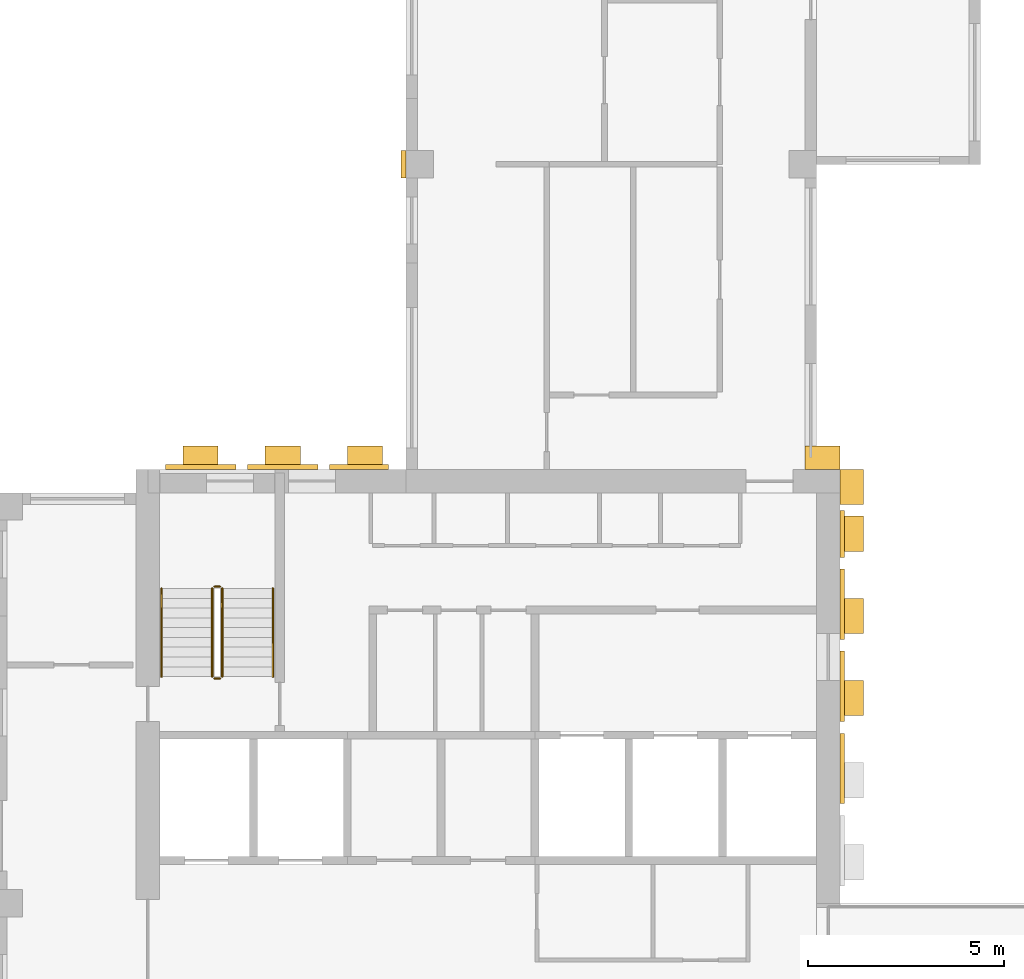
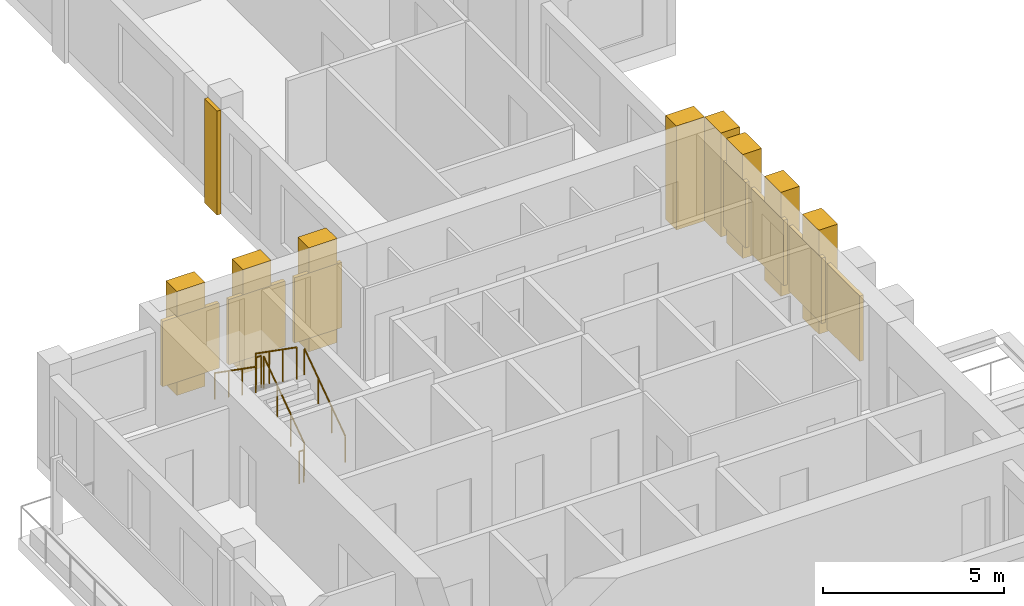
# One storey, part 8 of 10: 16 coverings, 6 railings.
"""IFC4 building model written with IfcOpenShell, lengths in metres."""

from ifc_helpers import new_model, si_unit, direction, frame, origin, origin_2d, place, context, subcontext, project, spatial, rectangle, circle, extrude, source, transform, mapped, material, type_object, element, save


model = new_model("IFC4")

# Units and contexts
model_context = context("Model", 3, precision=1e-05, world=origin(), true_north=direction((0.0, 1.0)))
body_context = subcontext(model_context, "Body", "Model", "MODEL_VIEW")
ifc_project = project(units=[si_unit("LENGTHUNIT", "METRE"), si_unit("AREAUNIT", "SQUARE_METRE"), si_unit("VOLUMEUNIT", "CUBIC_METRE"), si_unit("PLANEANGLEUNIT", "RADIAN"), si_unit("MASSUNIT", "GRAM", prefix="KILO")], contexts=[model_context])

# Site, building, storey
site_placement = place(None, origin())
site = spatial("IfcSite", under=ifc_project, at=site_placement, CompositionType="ELEMENT")
building_placement = place(site_placement, origin())
building = spatial("IfcBuilding", under=site, at=building_placement, Name="Aurelian Terraces", CompositionType="ELEMENT")
storey_placement = place(building_placement, frame((0.0, 0.0, 291.5)))
storey = spatial("IfcBuildingStorey", under=building, at=storey_placement, Name="L66", CompositionType="ELEMENT", Elevation=291.5)

# Coverings
ifc_material_1 = material(Name="Terracotta rainscreen cladding louvre blades", Category="masonry")
covering_type_1 = type_object("IfcCoveringType", Name="LOUVRE-TC", PredefinedType="CLADDING", material=ifc_material_1)
shared_shape_1 = source(origin(), body_context, "Body", "SweptSolid", [
    extrude(rectangle(XDim=0.12, YDim=1.8, at=origin_2d()), origin(), (0.0, 0.0, 1.0), 2.2),
])
for number, where, z_axis, x_axis, name in (
    (1, (21.66, 13.95, 0.45), (0.0, 0.0, 1.0), (1.0, 0.0, 0.0), "LOUVRE L66 core face E.2"),
    (2, (21.66, 16.05, 0.45), (0.0, 0.0, 1.0), (1.0, 0.0, 0.0), "LOUVRE L66 core face E.3"),
    (3, (21.66, 18.15, 0.45), (0.0, 0.0, 1.0), (1.0, 0.0, 0.0), "LOUVRE L66 core face E.4"),
):
    element("IfcCovering", number, at=place(storey_placement, frame(where, z_axis=z_axis, x_axis=x_axis)), inside=storey, type_object=covering_type_1, Name=name, PredefinedType="CLADDING", context=body_context, shape_type="MappedRepresentation", body=[
        mapped(shared_shape_1, transform((0.0, 0.0, 0.0), scale=1.0)),
    ])
shared_shape_2 = source(origin(), body_context, "Body", "SweptSolid", [
    extrude(rectangle(XDim=1.8, YDim=0.12, at=origin_2d()), origin(), (0.0, 0.0, 1.0), 2.2),
])
for number, where, z_axis, x_axis, name in (
    (4, (5.25, 21.66, 0.45), (0.0, 0.0, 1.0), (1.0, 0.0, 0.0), "LOUVRE L66 core face N.1"),
    (5, (7.35, 21.66, 0.45), (0.0, 0.0, 1.0), (1.0, 0.0, 0.0), "LOUVRE L66 core face N.2"),
):
    element("IfcCovering", number, at=place(storey_placement, frame(where, z_axis=z_axis, x_axis=x_axis)), inside=storey, type_object=covering_type_1, Name=name, PredefinedType="CLADDING", context=body_context, shape_type="MappedRepresentation", body=[
        mapped(shared_shape_2, transform((0.0, 0.0, 0.0), scale=1.0)),
    ])
ifc_material_2 = material(Name="Terracotta rainscreen cladding relief", Category="masonry")
covering_type_2 = type_object("IfcCoveringType", Name="BAGUETTE-TC", PredefinedType="CLADDING", material=ifc_material_2)
shared_shape_3 = source(origin(), body_context, "Body", "SweptSolid", [
    extrude(rectangle(XDim=0.12, YDim=0.7, at=origin_2d()), origin(), (0.0, 0.0, 1.0), 3.5),
])
covering_1_placement = place(storey_placement, frame((10.44, 29.4, -0.4), z_axis=(0.0, 0.0, 1.0), x_axis=(1.0, 0.0, 0.0)))
element("IfcCovering", 6, at=covering_1_placement, inside=storey, type_object=covering_type_2, Name="BAGUETTE pier L66 5", PredefinedType="CLADDING", context=body_context, shape_type="MappedRepresentation", body=[
    mapped(shared_shape_3, transform((0.0, 0.0, 0.0), scale=1.0)),
])
shared_shape_4 = source(origin(), body_context, "Body", "SweptSolid", [
    extrude(rectangle(XDim=0.12, YDim=1.2, at=origin_2d()), origin(), (0.0, 0.0, 1.0), 2.2),
])
covering_2_placement = place(storey_placement, frame((21.66, 19.95, 0.45), z_axis=(0.0, 0.0, 1.0), x_axis=(1.0, 0.0, 0.0)))
element("IfcCovering", 7, at=covering_2_placement, inside=storey, type_object=covering_type_1, Name="LOUVRE L66 core face E.5", PredefinedType="CLADDING", context=body_context, shape_type="MappedRepresentation", body=[
    mapped(shared_shape_4, transform((0.0, 0.0, 0.0), scale=1.0)),
])
shared_shape_5 = source(origin(), body_context, "Body", "SweptSolid", [
    extrude(rectangle(XDim=1.5, YDim=0.12, at=origin_2d()), origin(), (0.0, 0.0, 1.0), 2.2),
])
covering_3_placement = place(storey_placement, frame((9.3, 21.66, 0.45), z_axis=(0.0, 0.0, 1.0), x_axis=(1.0, 0.0, 0.0)))
element("IfcCovering", 8, at=covering_3_placement, inside=storey, type_object=covering_type_1, Name="LOUVRE L66 core face N.3", PredefinedType="CLADDING", context=body_context, shape_type="MappedRepresentation", body=[
    mapped(shared_shape_5, transform((0.0, 0.0, 0.0), scale=1.0)),
])

# Railings
ifc_material_3 = material(Name="Stainless steel", Category="steel")
railing_type_1 = type_object("IfcRailingType", Name="Stair guard 1100", PredefinedType="GUARDRAIL", material=ifc_material_3)
shared_shape_6 = source(origin(), body_context, "Body", "SweptSolid", [
    extrude(circle(Radius=0.024, at=origin_2d()), frame((0.0, 0.0, 1.076), z_axis=(-1.0, 0.0, 0.0), x_axis=(0.0, -1.0, 0.0)), (0.0, 0.0, 1.0), 0.15),
    extrude(circle(Radius=0.021, at=origin_2d()), origin(), (0.0, 0.0, 1.0), 1.052),
    extrude(circle(Radius=0.021, at=origin_2d()), frame((-0.15, 0.0, 0.0)), (0.0, 0.0, 1.0), 1.052),
])
for number, where, name in (
    (9, (5.75, 18.6, 1.75), "L66 S1 stair guard 2"),
    (10, (5.75, 16.25, 0.0), "L66 S1 stair guard 4"),
):
    element("IfcRailing", number, at=place(storey_placement, frame(where)), inside=storey, type_object=railing_type_1, Name=name, PredefinedType="GUARDRAIL", context=body_context, shape_type="MappedRepresentation", body=[
        mapped(shared_shape_6, transform((0.0, 0.0, 0.0), scale=1.0)),
    ])
shared_shape_7 = source(origin(), body_context, "Body", "SweptSolid", [
    extrude(circle(Radius=0.024, at=origin_2d()), frame((0.0, 0.0, 1.076), z_axis=(0.0, 0.819231920519, 0.573462344363), x_axis=(-1.0, 0.0, 0.0)), (0.0, 0.0, 1.0), 2.7465),
    extrude(circle(Radius=0.021, at=origin_2d()), origin(), (0.0, 0.0, 1.0), 1.052),
    extrude(circle(Radius=0.021, at=origin_2d()), frame((0.0, 0.75, 0.525)), (0.0, 0.0, 1.0), 1.052),
    extrude(circle(Radius=0.021, at=origin_2d()), frame((0.0, 1.5, 1.05)), (0.0, 0.0, 1.0), 1.052),
    extrude(circle(Radius=0.021, at=origin_2d()), frame((0.0, 2.25, 1.575)), (0.0, 0.0, 1.0), 1.052),
])
railing_1_placement = place(storey_placement, frame((5.8, 16.3, 0.175)))
element("IfcRailing", 11, at=railing_1_placement, inside=storey, type_object=railing_type_1, Name="L66 S1 stair guard 1", PredefinedType="GUARDRAIL", context=body_context, shape_type="MappedRepresentation", body=[
    mapped(shared_shape_7, transform((0.0, 0.0, 0.0), scale=1.0)),
])
shared_shape_8 = source(origin(), body_context, "Body", "SweptSolid", [
    extrude(circle(Radius=0.024, at=origin_2d()), frame((0.0, 0.0, 1.076), z_axis=(0.0, -0.819231920519, 0.573462344363), x_axis=(1.0, 0.0, 0.0)), (0.0, 0.0, 1.0), 2.7465),
    extrude(circle(Radius=0.021, at=origin_2d()), origin(), (0.0, 0.0, 1.0), 1.052),
    extrude(circle(Radius=0.021, at=origin_2d()), frame((0.0, -0.75, 0.525)), (0.0, 0.0, 1.0), 1.052),
    extrude(circle(Radius=0.021, at=origin_2d()), frame((0.0, -1.5, 1.05)), (0.0, 0.0, 1.0), 1.052),
    extrude(circle(Radius=0.021, at=origin_2d()), frame((0.0, -2.25, 1.575)), (0.0, 0.0, 1.0), 1.052),
])
railing_2_placement = place(storey_placement, frame((5.55, 18.55, 1.925)))
element("IfcRailing", 12, at=railing_2_placement, inside=storey, type_object=railing_type_1, Name="L66 S1 stair guard 3", PredefinedType="GUARDRAIL", context=body_context, shape_type="MappedRepresentation", body=[
    mapped(shared_shape_8, transform((0.0, 0.0, 0.0), scale=1.0)),
])
railing_type_2 = type_object("IfcRailingType", Name="Stair handrail", PredefinedType="HANDRAIL", material=ifc_material_3)
shared_shape_9 = source(origin(), body_context, "Body", "SweptSolid", [
    extrude(circle(Radius=0.024, at=origin_2d()), frame((0.0, 0.0, 0.876), z_axis=(0.0, 0.819231920519, 0.573462344363), x_axis=(-1.0, 0.0, 0.0)), (0.0, 0.0, 1.0), 2.7465),
    extrude(circle(Radius=0.021, at=origin_2d()), origin(), (0.0, 0.0, 1.0), 0.852),
    extrude(circle(Radius=0.021, at=origin_2d()), frame((0.0, 0.75, 0.525)), (0.0, 0.0, 1.0), 0.852),
    extrude(circle(Radius=0.021, at=origin_2d()), frame((0.0, 1.5, 1.05)), (0.0, 0.0, 1.0), 0.852),
    extrude(circle(Radius=0.021, at=origin_2d()), frame((0.0, 2.25, 1.575)), (0.0, 0.0, 1.0), 0.852),
])
railing_3_placement = place(storey_placement, frame((7.1, 16.3, 0.175)))
element("IfcRailing", 13, at=railing_3_placement, inside=storey, type_object=railing_type_2, Name="L66 S1 stair handrail 1", PredefinedType="HANDRAIL", context=body_context, shape_type="MappedRepresentation", body=[
    mapped(shared_shape_9, transform((0.0, 0.0, 0.0), scale=1.0)),
])
shared_shape_10 = source(origin(), body_context, "Body", "SweptSolid", [
    extrude(circle(Radius=0.024, at=origin_2d()), frame((0.0, 0.0, 0.876), z_axis=(0.0, -0.819231920519, 0.573462344363), x_axis=(1.0, 0.0, 0.0)), (0.0, 0.0, 1.0), 2.7465),
    extrude(circle(Radius=0.021, at=origin_2d()), origin(), (0.0, 0.0, 1.0), 0.852),
    extrude(circle(Radius=0.021, at=origin_2d()), frame((0.0, -0.75, 0.525)), (0.0, 0.0, 1.0), 0.852),
    extrude(circle(Radius=0.021, at=origin_2d()), frame((0.0, -1.5, 1.05)), (0.0, 0.0, 1.0), 0.852),
    extrude(circle(Radius=0.021, at=origin_2d()), frame((0.0, -2.25, 1.575)), (0.0, 0.0, 1.0), 0.852),
])
railing_4_placement = place(storey_placement, frame((4.25, 18.55, 1.925)))
element("IfcRailing", 14, at=railing_4_placement, inside=storey, type_object=railing_type_2, Name="L66 S1 stair handrail 2", PredefinedType="HANDRAIL", context=body_context, shape_type="MappedRepresentation", body=[
    mapped(shared_shape_10, transform((0.0, 0.0, 0.0), scale=1.0)),
])

# Coverings
covering_type_3 = type_object("IfcCoveringType", Name="Core spine pier 900x600", PredefinedType="CLADDING", material=ifc_material_2)
shared_shape_11 = source(origin(), body_context, "Body", "SweptSolid", [
    extrude(rectangle(XDim=0.6, YDim=0.9, at=origin_2d()), origin(), (0.0, 0.0, 1.0), 3.5),
])
for number, where, z_axis, x_axis, name in (
    (15, (21.9, 15.75, 0.0), (0.0, 0.0, 1.0), (1.0, 0.0, 0.0), "Spine pier L66 E3"),
    (16, (21.9, 17.85, 0.0), (0.0, 0.0, 1.0), (1.0, 0.0, 0.0), "Spine pier L66 E4"),
    (17, (21.9, 19.95, 0.0), (0.0, 0.0, 1.0), (1.0, 0.0, 0.0), "Spine pier L66 E5"),
    (18, (21.9, 21.15, 0.0), (0.0, 0.0, 1.0), (1.0, 0.0, 0.0), "Spine pier L66 corner east"),
):
    element("IfcCovering", number, at=place(storey_placement, frame(where, z_axis=z_axis, x_axis=x_axis)), inside=storey, type_object=covering_type_3, Name=name, PredefinedType="CLADDING", context=body_context, shape_type="MappedRepresentation", body=[
        mapped(shared_shape_11, transform((0.0, 0.0, 0.0), scale=1.0)),
    ])
shared_shape_12 = source(origin(), body_context, "Body", "SweptSolid", [
    extrude(rectangle(XDim=0.9, YDim=0.6, at=origin_2d()), origin(), (0.0, 0.0, 1.0), 3.5),
])
for number, where, z_axis, x_axis, name in (
    (19, (5.25, 21.9, 0.0), (0.0, 0.0, 1.0), (1.0, 0.0, 0.0), "Spine pier L66 N6"),
    (20, (7.35, 21.9, 0.0), (0.0, 0.0, 1.0), (1.0, 0.0, 0.0), "Spine pier L66 N7"),
    (21, (9.45, 21.9, 0.0), (0.0, 0.0, 1.0), (1.0, 0.0, 0.0), "Spine pier L66 N8"),
    (22, (21.15, 21.9, 0.0), (0.0, 0.0, 1.0), (1.0, 0.0, 0.0), "Spine pier L66 corner north"),
):
    element("IfcCovering", number, at=place(storey_placement, frame(where, z_axis=z_axis, x_axis=x_axis)), inside=storey, type_object=covering_type_3, Name=name, PredefinedType="CLADDING", context=body_context, shape_type="MappedRepresentation", body=[
        mapped(shared_shape_12, transform((0.0, 0.0, 0.0), scale=1.0)),
    ])

save(model, "model.ifc")
